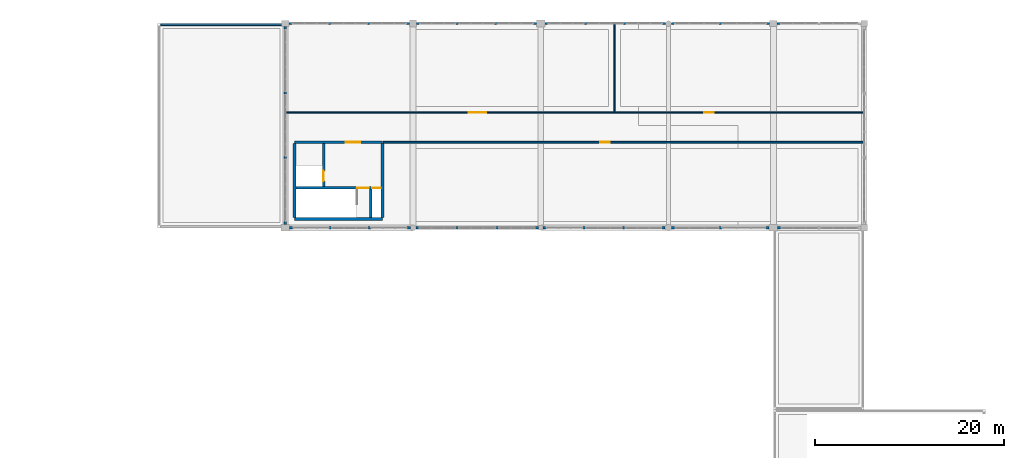
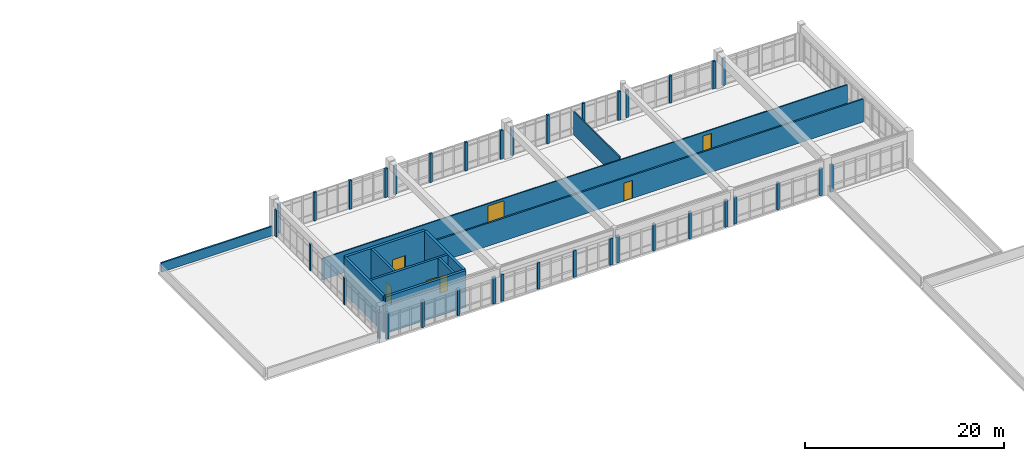
# One storey, part 93 of 109: 47 walls, 7 doors, 7 openings.
"""IFC4 building model written with IfcOpenShell, lengths in metres."""

from ifc_helpers import new_model, si_unit, direction, frame, frame_2d, origin, place, context, subcontext, project, spatial, rectangle, extrude, material, layer, layer_set, type_object, element, fill, save


model = new_model("IFC4")

# Units and contexts
model_context = context("Model", 3, precision=1e-05, world=origin(), true_north=direction((0.0, 1.0)))
body_context = subcontext(model_context, "Body", "Model", "MODEL_VIEW")
ifc_project = project(units=[si_unit("LENGTHUNIT", "METRE"), si_unit("AREAUNIT", "SQUARE_METRE"), si_unit("VOLUMEUNIT", "CUBIC_METRE"), si_unit("PLANEANGLEUNIT", "RADIAN"), si_unit("MASSUNIT", "GRAM", prefix="KILO")], contexts=[model_context])

# Site, building, storey
site_placement = place(None, origin())
site = spatial("IfcSite", under=ifc_project, at=site_placement, CompositionType="ELEMENT")
building_placement = place(site_placement, origin())
building = spatial("IfcBuilding", under=site, at=building_placement, Name="Fikremerkos Civic Library", CompositionType="ELEMENT")
storey_placement = place(building_placement, frame((0.0, 0.0, 5.39990234375)))
storey = spatial("IfcBuildingStorey", under=building, at=storey_placement, Name="L01", CompositionType="ELEMENT", Elevation=5.39990234375)

# Wall
ifc_material_1 = material(Name="Concrete C40/50", Category="concrete")
ifc_layer_1 = layer(ifc_material_1, 0.300048828125, Name="Concrete C40/50")
ifc_layer_set_1 = layer_set([ifc_layer_1], Name="Concrete C40/50")
wall_type_1 = type_object("IfcWallType", Name="Core shear wall CSW-01 300", PredefinedType="SHEAR", material=ifc_layer_set_1)
wall_1_placement = place(storey_placement, frame((83.449951171875, 96.949951171875, 0.0), z_axis=(0.0, 0.0, 1.0), x_axis=(-1.0, 0.0, 0.0)))
element("IfcWall", 1, at=wall_1_placement, inside=storey, type_object=wall_type_1, Name="Core K5 south shear wall L01", PredefinedType="SHEAR", context=body_context, shape_type="SweptSolid", body=[
    extrude(rectangle(XDim=9.300048828125, YDim=0.300048828125, at=frame_2d((4.64990234375, 0.0))), origin(), (0.0, 0.0, 1.0), 4.5),
])

# Wall, opening, door
wall_2_placement = place(storey_placement, frame((74.14990234375, 105.050048828125, 0.0), z_axis=(0.0, 0.0, 1.0), x_axis=(1.0, 0.0, 0.0)))
wall_2 = element("IfcWall", 2, at=wall_2_placement, inside=storey, type_object=wall_type_1, Name="Core K5 north shear wall L01", PredefinedType="SHEAR", context=body_context, shape_type="SweptSolid", body=[
    extrude(rectangle(XDim=9.300048828125, YDim=0.300048828125, at=frame_2d((4.64990234375, 0.0))), origin(), (0.0, 0.0, 1.0), 4.5),
])
opening_1_placement = place(wall_2_placement, frame((5.449951171875, 0.0, 0.0)))
opening_1 = element("IfcOpeningElement", 3, at=opening_1_placement, cuts=wall_2, Name="Opening D125", PredefinedType="OPENING", context=body_context, shape_type="SweptSolid", body=[
    extrude(rectangle(XDim=1.5, YDim=2.25, at=frame_2d((0.75, 1.125))), frame((0.0, 0.159912109375, 0.0), z_axis=(0.0, -1.0, 0.0), x_axis=(1.0, 0.0, 0.0)), (0.0, 0.0, 1.0), 0.320068359375),
])
ifc_material_2 = material(Name="Hardwood timber and acoustic glass", Category="wood")
door_type_1 = type_object("IfcDoorType", Name="Pedestrian door DT-05 1500x2250", OperationType="NOTDEFINED", PredefinedType="DOOR", material=ifc_material_2)
door_1_placement = place(opening_1_placement, origin())
door_1 = element("IfcDoor", 4, at=door_1_placement, inside=storey, type_object=door_type_1, Name="Core K5 lobby fire door D125 L01", OperationType="SINGLE_SWING_LEFT", OverallHeight=2.25, OverallWidth=1.5, PredefinedType="DOOR", context=body_context, shape_type="SweptSolid", body=[
    extrude(rectangle(XDim=1.5, YDim=2.25, at=frame_2d((0.75, 1.125))), frame((0.0, 0.032470703125, 0.0), z_axis=(0.0, -1.0, 0.0), x_axis=(1.0, 0.0, 0.0)), (0.0, 0.0, 1.0), 0.06494140625),
])
fill(opening_1, door_1)

# Walls
for number, where, z_axis, x_axis, name in (
    (5, (74.14990234375, 97.10205078125, 0.0), (0.0, 0.0, 1.0), (0.0, 1.0, 0.0), "Core K5 west shear wall L01"),
    (6, (83.449951171875, 104.89794921875, 0.0), (0.0, 0.0, 1.0), (0.0, -1.0, 0.0), "Core K5 east shear wall L01"),
):
    element("IfcWall", number, at=place(storey_placement, frame(where, z_axis=z_axis, x_axis=x_axis)), inside=storey, type_object=wall_type_1, Name=name, PredefinedType="SHEAR", context=body_context, shape_type="SweptSolid", body=[
        extrude(rectangle(XDim=7.7958984375, YDim=0.300048828125, at=frame_2d((3.89794921875, 0.0))), origin(), (0.0, 0.0, 1.0), 4.5),
    ])

# Wall, openings, doors
ifc_layer_2 = layer(ifc_material_1, 0.260009765625, Name="Concrete C40/50")
ifc_layer_set_2 = layer_set([ifc_layer_2], Name="Concrete C40/50")
wall_type_2 = type_object("IfcWallType", Name="Core shear wall CSW-02 260", PredefinedType="SHEAR", material=ifc_layer_set_2)
wall_3_placement = place(storey_placement, frame((74.302001953125, 100.22998046875, 0.0), z_axis=(0.0, 0.0, 1.0), x_axis=(1.0, 0.0, 0.0)))
wall_3 = element("IfcWall", 7, at=wall_3_placement, inside=storey, type_object=wall_type_2, Name="Core K5 stair compartment wall L01", PredefinedType="SHEAR", context=body_context, shape_type="SweptSolid", body=[
    extrude(rectangle(XDim=8.99609375, YDim=0.260009765625, at=frame_2d((4.498046875, 0.0))), origin(), (0.0, 0.0, 1.0), 4.5),
])
opening_2_placement = place(wall_3_placement, frame((6.498046875, 0.0, 0.0)))
opening_2 = element("IfcOpeningElement", 8, at=opening_2_placement, cuts=wall_3, Name="Opening D126", PredefinedType="OPENING", context=body_context, shape_type="SweptSolid", body=[
    extrude(rectangle(XDim=1.199951171875, YDim=2.199951171875, at=frame_2d((0.60009765625, 1.10009765625))), frame((0.0, 0.139892578125, 0.0), z_axis=(0.0, -1.0, 0.0), x_axis=(1.0, 0.0, 0.0)), (0.0, 0.0, 1.0), 0.280029296875),
])
opening_3_placement = place(wall_3_placement, frame((8.10302734375, 0.0, 0.0)))
opening_3 = element("IfcOpeningElement", 9, at=opening_3_placement, cuts=wall_3, Name="Opening D127", PredefinedType="OPENING", context=body_context, shape_type="SweptSolid", body=[
    extrude(rectangle(XDim=0.85009765625, YDim=2.050048828125, at=frame_2d((0.425048828125, 1.02490234375))), frame((0.0, 0.139892578125, 0.0), z_axis=(0.0, -1.0, 0.0), x_axis=(1.0, 0.0, 0.0)), (0.0, 0.0, 1.0), 0.280029296875),
])
door_type_2 = type_object("IfcDoorType", Name="Pedestrian door DT-06 1200x2200", OperationType="NOTDEFINED", PredefinedType="DOOR", material=ifc_material_2)
door_2_placement = place(opening_2_placement, origin())
door_2 = element("IfcDoor", 10, at=door_2_placement, inside=storey, type_object=door_type_2, Name="Core K5 stair fire door D126 L01", OperationType="SINGLE_SWING_LEFT", OverallHeight=2.199951171875, OverallWidth=1.199951171875, PredefinedType="DOOR", context=body_context, shape_type="SweptSolid", body=[
    extrude(rectangle(XDim=1.199951171875, YDim=2.199951171875, at=frame_2d((0.60009765625, 1.10009765625))), frame((0.0, 0.032470703125, 0.0), z_axis=(0.0, -1.0, 0.0), x_axis=(1.0, 0.0, 0.0)), (0.0, 0.0, 1.0), 0.06494140625),
])
fill(opening_2, door_2)
door_type_3 = type_object("IfcDoorType", Name="Pedestrian door DT-08 850x2050", OperationType="NOTDEFINED", PredefinedType="DOOR", material=ifc_material_2)
door_3_placement = place(opening_3_placement, origin())
door_3 = element("IfcDoor", 11, at=door_3_placement, inside=storey, type_object=door_type_3, Name="Core K5 riser access fire door D127 L01", OperationType="SINGLE_SWING_LEFT", OverallHeight=2.050048828125, OverallWidth=0.85009765625, PredefinedType="DOOR", context=body_context, shape_type="SweptSolid", body=[
    extrude(rectangle(XDim=0.85009765625, YDim=2.050048828125, at=frame_2d((0.425048828125, 1.02490234375))), frame((0.0, 0.032470703125, 0.0), z_axis=(0.0, -1.0, 0.0), x_axis=(1.0, 0.0, 0.0)), (0.0, 0.0, 1.0), 0.06494140625),
])
fill(opening_3, door_3)

# Wall
wall_4_placement = place(storey_placement, frame((82.22998046875, 97.10205078125, 0.0), z_axis=(0.0, 0.0, 1.0), x_axis=(0.0, 1.0, 0.0)))
element("IfcWall", 12, at=wall_4_placement, inside=storey, type_object=wall_type_2, Name="Core K5 stair-riser shear wall L01", PredefinedType="SHEAR", context=body_context, shape_type="SweptSolid", body=[
    extrude(rectangle(XDim=2.995849609375, YDim=0.260009765625, at=frame_2d((1.498046875, 0.0))), origin(), (0.0, 0.0, 1.0), 4.5),
])

# Wall, opening, door
wall_5_placement = place(storey_placement, frame((77.22998046875, 100.362060546875, 0.0), z_axis=(0.0, 0.0, 1.0), x_axis=(0.0, 1.0, 0.0)))
wall_5 = element("IfcWall", 13, at=wall_5_placement, inside=storey, type_object=wall_type_2, Name="Core K5 lift shaft front wall L01", PredefinedType="SHEAR", context=body_context, shape_type="SweptSolid", body=[
    extrude(rectangle(XDim=4.535888671875, YDim=0.260009765625, at=frame_2d((2.26806640625, 0.0))), origin(), (0.0, 0.0, 1.0), 4.5),
])
opening_4_placement = place(wall_5_placement, frame((0.568115234375, 0.0, 0.0)))
opening_4 = element("IfcOpeningElement", 14, at=opening_4_placement, cuts=wall_5, Name="Opening LD57", PredefinedType="OPENING", context=body_context, shape_type="SweptSolid", body=[
    extrude(rectangle(XDim=1.10009765625, YDim=2.14990234375, at=frame_2d((0.550048828125, 1.074951171875))), frame((0.0, 0.139892578125, 0.0), z_axis=(0.0, -1.0, 0.0), x_axis=(1.0, 0.0, 0.0)), (0.0, 0.0, 1.0), 0.280029296875),
])
ifc_material_3 = material(Name="Brushed stainless steel", Category="steel")
door_type_4 = type_object("IfcDoorType", Name="Lift landing door LDT-01 1100x2150", OperationType="NOTDEFINED", PredefinedType="DOOR", material=ifc_material_3)
door_4_placement = place(opening_4_placement, origin())
door_4 = element("IfcDoor", 15, at=door_4_placement, inside=storey, type_object=door_type_4, Name="Lift LF08 sliding landing door LD57 L01", OperationType="SLIDING_TO_LEFT", OverallHeight=2.14990234375, OverallWidth=1.10009765625, PredefinedType="DOOR", context=body_context, shape_type="SweptSolid", body=[
    extrude(rectangle(XDim=1.10009765625, YDim=2.14990234375, at=frame_2d((0.550048828125, 1.074951171875))), frame((0.0, 0.032470703125, 0.0), z_axis=(0.0, -1.0, 0.0), x_axis=(1.0, 0.0, 0.0)), (0.0, 0.0, 1.0), 0.06494140625),
])
fill(opening_4, door_4)

# Walls
ifc_material_4 = material(Name="Precast concrete C40/50", Category="concrete")
ifc_layer_3 = layer(ifc_material_4, 0.25, Name="Precast concrete C40/50")
ifc_layer_set_3 = layer_set([ifc_layer_3], Name="Precast concrete C40/50")
wall_type_3 = type_object("IfcWallType", Name="Exterior solid wall ESW-05 250", PredefinedType="SOLIDWALL", material=ifc_layer_set_3)
wall_6_placement = place(storey_placement, frame((125.597900390625, 96.0, 0.0), z_axis=(0.0, 0.0, 1.0), x_axis=(-1.0, 0.0, 0.0)))
element("IfcWall", 16, at=wall_6_placement, inside=storey, type_object=wall_type_3, Name="Exterior facade pier ESW-05 #418", PredefinedType="SOLIDWALL", context=body_context, shape_type="SweptSolid", body=[
    extrude(rectangle(XDim=0.349853515625, YDim=0.25, at=frame_2d((0.1748046875, 0.0))), origin(), (0.0, 0.0, 1.0), 3.3671875),
])
wall_7_placement = place(storey_placement, frame((124.35205078125, 96.0, 0.0), z_axis=(0.0, 0.0, 1.0), x_axis=(-1.0, 0.0, 0.0)))
element("IfcWall", 17, at=wall_7_placement, inside=storey, type_object=wall_type_3, Name="Exterior facade pier ESW-05 #420", PredefinedType="SOLIDWALL", context=body_context, shape_type="SweptSolid", body=[
    extrude(rectangle(XDim=0.35009765625, YDim=0.25, at=frame_2d((0.175048828125, 0.0))), origin(), (0.0, 0.0, 1.0), 3.320068359375),
])
wall_8_placement = place(storey_placement, frame((114.39794921875, 96.0, 0.0), z_axis=(0.0, 0.0, 1.0), x_axis=(-1.0, 0.0, 0.0)))
element("IfcWall", 18, at=wall_8_placement, inside=storey, type_object=wall_type_3, Name="Exterior facade pier ESW-05 #421", PredefinedType="SOLIDWALL", context=body_context, shape_type="SweptSolid", body=[
    extrude(rectangle(XDim=0.349853515625, YDim=0.25, at=frame_2d((0.1748046875, 0.0))), origin(), (0.0, 0.0, 1.0), 3.320068359375),
])
wall_9_placement = place(storey_placement, frame((119.35009765625, 96.0, 0.0), z_axis=(0.0, 0.0, 1.0), x_axis=(-1.0, 0.0, 0.0)))
element("IfcWall", 19, at=wall_9_placement, inside=storey, type_object=wall_type_3, Name="Exterior facade mullion pier ESW-05 #422", PredefinedType="SOLIDWALL", context=body_context, shape_type="SweptSolid", body=[
    extrude(rectangle(XDim=0.300048828125, YDim=0.25, at=frame_2d((0.14990234375, 0.0))), origin(), (0.0, 0.0, 1.0), 3.320068359375),
])
wall_10_placement = place(storey_placement, frame((113.35205078125, 96.0, 0.0), z_axis=(0.0, 0.0, 1.0), x_axis=(-1.0, 0.0, 0.0)))
element("IfcWall", 20, at=wall_10_placement, inside=storey, type_object=wall_type_3, Name="Exterior facade pier ESW-05 #423", PredefinedType="SOLIDWALL", context=body_context, shape_type="SweptSolid", body=[
    extrude(rectangle(XDim=0.35009765625, YDim=0.25, at=frame_2d((0.175048828125, 0.0))), origin(), (0.0, 0.0, 1.0), 3.320068359375),
])
wall_11_placement = place(storey_placement, frame((100.77294921875, 96.0, 0.0), z_axis=(0.0, 0.0, 1.0), x_axis=(-1.0, 0.0, 0.0)))
element("IfcWall", 21, at=wall_11_placement, inside=storey, type_object=wall_type_3, Name="Exterior facade pier ESW-05 #424", PredefinedType="SOLIDWALL", context=body_context, shape_type="SweptSolid", body=[
    extrude(rectangle(XDim=0.349853515625, YDim=0.25, at=frame_2d((0.1748046875, 0.0))), origin(), (0.0, 0.0, 1.0), 3.320068359375),
])
wall_12_placement = place(storey_placement, frame((109.125732421875, 96.0, 0.0), z_axis=(0.0, 0.0, 1.0), x_axis=(-1.0, 0.0, 0.0)))
element("IfcWall", 22, at=wall_12_placement, inside=storey, type_object=wall_type_3, Name="Exterior facade mullion pier ESW-05 #425", PredefinedType="SOLIDWALL", context=body_context, shape_type="SweptSolid", body=[
    extrude(rectangle(XDim=0.300048828125, YDim=0.25, at=frame_2d((0.14990234375, 0.0))), origin(), (0.0, 0.0, 1.0), 3.320068359375),
])
wall_13_placement = place(storey_placement, frame((104.94921875, 96.0, 0.0), z_axis=(0.0, 0.0, 1.0), x_axis=(-1.0, 0.0, 0.0)))
element("IfcWall", 23, at=wall_13_placement, inside=storey, type_object=wall_type_3, Name="Exterior facade mullion pier ESW-05 #426", PredefinedType="SOLIDWALL", context=body_context, shape_type="SweptSolid", body=[
    extrude(rectangle(XDim=0.2998046875, YDim=0.25, at=frame_2d((0.14990234375, 0.0))), origin(), (0.0, 0.0, 1.0), 3.320068359375),
])
wall_14_placement = place(storey_placement, frame((99.97705078125, 96.0, 0.0), z_axis=(0.0, 0.0, 1.0), x_axis=(-1.0, 0.0, 0.0)))
element("IfcWall", 24, at=wall_14_placement, inside=storey, type_object=wall_type_3, Name="Exterior facade pier ESW-05 #427", PredefinedType="SOLIDWALL", context=body_context, shape_type="SweptSolid", body=[
    extrude(rectangle(XDim=0.35009765625, YDim=0.25, at=frame_2d((0.175048828125, 0.0))), origin(), (0.0, 0.0, 1.0), 3.27001953125),
])
wall_15_placement = place(storey_placement, frame((87.347900390625, 96.0, 0.0), z_axis=(0.0, 0.0, 1.0), x_axis=(-1.0, 0.0, 0.0)))
element("IfcWall", 25, at=wall_15_placement, inside=storey, type_object=wall_type_3, Name="Exterior facade pier ESW-05 #428", PredefinedType="SOLIDWALL", context=body_context, shape_type="SweptSolid", body=[
    extrude(rectangle(XDim=0.349853515625, YDim=0.25, at=frame_2d((0.1748046875, 0.0))), origin(), (0.0, 0.0, 1.0), 3.27001953125),
])
wall_16_placement = place(storey_placement, frame((95.73388671875, 96.0, 0.0), z_axis=(0.0, 0.0, 1.0), x_axis=(-1.0, 0.0, 0.0)))
element("IfcWall", 26, at=wall_16_placement, inside=storey, type_object=wall_type_3, Name="Exterior facade mullion pier ESW-05 #429", PredefinedType="SOLIDWALL", context=body_context, shape_type="SweptSolid", body=[
    extrude(rectangle(XDim=0.2998046875, YDim=0.25, at=frame_2d((0.14990234375, 0.0))), origin(), (0.0, 0.0, 1.0), 3.27001953125),
])
wall_17_placement = place(storey_placement, frame((91.541015625, 96.0, 0.0), z_axis=(0.0, 0.0, 1.0), x_axis=(-1.0, 0.0, 0.0)))
element("IfcWall", 27, at=wall_17_placement, inside=storey, type_object=wall_type_3, Name="Exterior facade mullion pier ESW-05 #430", PredefinedType="SOLIDWALL", context=body_context, shape_type="SweptSolid", body=[
    extrude(rectangle(XDim=0.300048828125, YDim=0.25, at=frame_2d((0.14990234375, 0.0))), origin(), (0.0, 0.0, 1.0), 3.27001953125),
])
for number, where, z_axis, x_axis, name in (
    (28, (86.402099609375, 96.0, 0.0), (0.0, 0.0, 1.0), (-1.0, 0.0, 0.0), "Exterior facade pier ESW-05 #431"),
    (29, (73.998046875, 96.0, 0.0), (0.0, 0.0, 1.0), (-1.0, 0.0, 0.0), "Exterior facade pier ESW-05 #432"),
):
    element("IfcWall", number, at=place(storey_placement, frame(where, z_axis=z_axis, x_axis=x_axis)), inside=storey, type_object=wall_type_3, Name=name, PredefinedType="SOLIDWALL", context=body_context, shape_type="SweptSolid", body=[
        extrude(rectangle(XDim=0.35009765625, YDim=0.25, at=frame_2d((0.175048828125, 0.0))), origin(), (0.0, 0.0, 1.0), 3.27001953125),
    ])
wall_18_placement = place(storey_placement, frame((82.23388671875, 96.0, 0.0), z_axis=(0.0, 0.0, 1.0), x_axis=(-1.0, 0.0, 0.0)))
element("IfcWall", 30, at=wall_18_placement, inside=storey, type_object=wall_type_3, Name="Exterior facade mullion pier ESW-05 #433", PredefinedType="SOLIDWALL", context=body_context, shape_type="SweptSolid", body=[
    extrude(rectangle(XDim=0.2998046875, YDim=0.25, at=frame_2d((0.14990234375, 0.0))), origin(), (0.0, 0.0, 1.0), 3.27001953125),
])
wall_19_placement = place(storey_placement, frame((78.115966796875, 96.0, 0.0), z_axis=(0.0, 0.0, 1.0), x_axis=(-1.0, 0.0, 0.0)))
element("IfcWall", 31, at=wall_19_placement, inside=storey, type_object=wall_type_3, Name="Exterior facade mullion pier ESW-05 #434", PredefinedType="SOLIDWALL", context=body_context, shape_type="SweptSolid", body=[
    extrude(rectangle(XDim=0.300048828125, YDim=0.25, at=frame_2d((0.14990234375, 0.0))), origin(), (0.0, 0.0, 1.0), 3.27001953125),
])
for number, where, z_axis, x_axis, name in (
    (32, (73.199951171875, 96.347900390625, 0.0), (0.0, 0.0, 1.0), (0.0, 1.0, 0.0), "Exterior facade pier ESW-05 #435"),
    (33, (73.199951171875, 116.951904296875, 0.0), (0.0, 0.0, 1.0), (0.0, 1.0, 0.0), "Exterior facade pier ESW-05 #436"),
):
    element("IfcWall", number, at=place(storey_placement, frame(where, z_axis=z_axis, x_axis=x_axis)), inside=storey, type_object=wall_type_3, Name=name, PredefinedType="SOLIDWALL", context=body_context, shape_type="SweptSolid", body=[
        extrude(rectangle(XDim=0.35009765625, YDim=0.25, at=frame_2d((0.175048828125, 0.0))), origin(), (0.0, 0.0, 1.0), 3.27001953125),
    ])
for number, where, z_axis, x_axis, name in (
    (34, (73.199951171875, 103.249267578125, 0.0), (0.0, 0.0, 1.0), (0.0, 1.0, 0.0), "Exterior facade mullion pier ESW-05 #437"),
    (35, (73.199951171875, 110.1005859375, 0.0), (0.0, 0.0, 1.0), (0.0, 1.0, 0.0), "Exterior facade mullion pier ESW-05 #438"),
):
    element("IfcWall", number, at=place(storey_placement, frame(where, z_axis=z_axis, x_axis=x_axis)), inside=storey, type_object=wall_type_3, Name=name, PredefinedType="SOLIDWALL", context=body_context, shape_type="SweptSolid", body=[
        extrude(rectangle(XDim=0.300048828125, YDim=0.25, at=frame_2d((0.14990234375, 0.0))), origin(), (0.0, 0.0, 1.0), 3.27001953125),
    ])
wall_20_placement = place(storey_placement, frame((73.597900390625, 117.60009765625, 0.0), z_axis=(0.0, 0.0, 1.0), x_axis=(1.0, 0.0, 0.0)))
element("IfcWall", 36, at=wall_20_placement, inside=storey, type_object=wall_type_3, Name="Exterior facade pier ESW-05 #439", PredefinedType="SOLIDWALL", context=body_context, shape_type="SweptSolid", body=[
    extrude(rectangle(XDim=0.35009765625, YDim=0.25, at=frame_2d((0.175048828125, 0.0))), origin(), (0.0, 0.0, 1.0), 3.517333984375),
])
wall_21_placement = place(storey_placement, frame((85.97705078125, 117.60009765625, 0.0), z_axis=(0.0, 0.0, 1.0), x_axis=(1.0, 0.0, 0.0)))
element("IfcWall", 37, at=wall_21_placement, inside=storey, type_object=wall_type_3, Name="Exterior facade pier ESW-05 #440", PredefinedType="SOLIDWALL", context=body_context, shape_type="SweptSolid", body=[
    extrude(rectangle(XDim=0.349853515625, YDim=0.25, at=frame_2d((0.1748046875, 0.0))), origin(), (0.0, 0.0, 1.0), 3.517333984375),
])
wall_22_placement = place(storey_placement, frame((77.757568359375, 117.60009765625, 0.0), z_axis=(0.0, 0.0, 1.0), x_axis=(1.0, 0.0, 0.0)))
element("IfcWall", 38, at=wall_22_placement, inside=storey, type_object=wall_type_3, Name="Exterior facade mullion pier ESW-05 #441", PredefinedType="SOLIDWALL", context=body_context, shape_type="SweptSolid", body=[
    extrude(rectangle(XDim=0.300048828125, YDim=0.25, at=frame_2d((0.14990234375, 0.0))), origin(), (0.0, 0.0, 1.0), 3.517333984375),
])
wall_23_placement = place(storey_placement, frame((81.867431640625, 117.60009765625, 0.0), z_axis=(0.0, 0.0, 1.0), x_axis=(1.0, 0.0, 0.0)))
element("IfcWall", 39, at=wall_23_placement, inside=storey, type_object=wall_type_3, Name="Exterior facade mullion pier ESW-05 #442", PredefinedType="SOLIDWALL", context=body_context, shape_type="SweptSolid", body=[
    extrude(rectangle(XDim=0.2998046875, YDim=0.25, at=frame_2d((0.14990234375, 0.0))), origin(), (0.0, 0.0, 1.0), 3.517333984375),
])
wall_24_placement = place(storey_placement, frame((87.072998046875, 117.60009765625, 0.0), z_axis=(0.0, 0.0, 1.0), x_axis=(1.0, 0.0, 0.0)))
element("IfcWall", 40, at=wall_24_placement, inside=storey, type_object=wall_type_3, Name="Exterior facade pier ESW-05 #443", PredefinedType="SOLIDWALL", context=body_context, shape_type="SweptSolid", body=[
    extrude(rectangle(XDim=0.35009765625, YDim=0.25, at=frame_2d((0.175048828125, 0.0))), origin(), (0.0, 0.0, 1.0), 3.517333984375),
])
wall_25_placement = place(storey_placement, frame((99.402099609375, 117.60009765625, 0.0), z_axis=(0.0, 0.0, 1.0), x_axis=(1.0, 0.0, 0.0)))
element("IfcWall", 41, at=wall_25_placement, inside=storey, type_object=wall_type_3, Name="Exterior facade pier ESW-05 #444", PredefinedType="SOLIDWALL", context=body_context, shape_type="SweptSolid", body=[
    extrude(rectangle(XDim=0.349853515625, YDim=0.25, at=frame_2d((0.1748046875, 0.0))), origin(), (0.0, 0.0, 1.0), 3.517333984375),
])
wall_26_placement = place(storey_placement, frame((91.216064453125, 117.60009765625, 0.0), z_axis=(0.0, 0.0, 1.0), x_axis=(1.0, 0.0, 0.0)))
element("IfcWall", 42, at=wall_26_placement, inside=storey, type_object=wall_type_3, Name="Exterior facade mullion pier ESW-05 #445", PredefinedType="SOLIDWALL", context=body_context, shape_type="SweptSolid", body=[
    extrude(rectangle(XDim=0.300048828125, YDim=0.25, at=frame_2d((0.14990234375, 0.0))), origin(), (0.0, 0.0, 1.0), 3.517333984375),
])
wall_27_placement = place(storey_placement, frame((95.30908203125, 117.60009765625, 0.0), z_axis=(0.0, 0.0, 1.0), x_axis=(1.0, 0.0, 0.0)))
element("IfcWall", 43, at=wall_27_placement, inside=storey, type_object=wall_type_3, Name="Exterior facade mullion pier ESW-05 #446", PredefinedType="SOLIDWALL", context=body_context, shape_type="SweptSolid", body=[
    extrude(rectangle(XDim=0.2998046875, YDim=0.25, at=frame_2d((0.14990234375, 0.0))), origin(), (0.0, 0.0, 1.0), 3.517333984375),
])
for number, where, z_axis, x_axis, name in (
    (44, (100.64794921875, 117.60009765625, 0.0), (0.0, 0.0, 1.0), (1.0, 0.0, 0.0), "Exterior facade pier ESW-05 #447"),
    (45, (113.052001953125, 117.60009765625, 0.0), (0.0, 0.0, 1.0), (1.0, 0.0, 0.0), "Exterior facade pier ESW-05 #448"),
):
    element("IfcWall", number, at=place(storey_placement, frame(where, z_axis=z_axis, x_axis=x_axis)), inside=storey, type_object=wall_type_3, Name=name, PredefinedType="SOLIDWALL", context=body_context, shape_type="SweptSolid", body=[
        extrude(rectangle(XDim=0.35009765625, YDim=0.25, at=frame_2d((0.175048828125, 0.0))), origin(), (0.0, 0.0, 1.0), 3.517333984375),
    ])
wall_28_placement = place(storey_placement, frame((104.81591796875, 117.60009765625, 0.0), z_axis=(0.0, 0.0, 1.0), x_axis=(1.0, 0.0, 0.0)))
element("IfcWall", 46, at=wall_28_placement, inside=storey, type_object=wall_type_3, Name="Exterior facade mullion pier ESW-05 #449", PredefinedType="SOLIDWALL", context=body_context, shape_type="SweptSolid", body=[
    extrude(rectangle(XDim=0.300048828125, YDim=0.25, at=frame_2d((0.14990234375, 0.0))), origin(), (0.0, 0.0, 1.0), 3.517333984375),
])
wall_29_placement = place(storey_placement, frame((108.93408203125, 117.60009765625, 0.0), z_axis=(0.0, 0.0, 1.0), x_axis=(1.0, 0.0, 0.0)))
element("IfcWall", 47, at=wall_29_placement, inside=storey, type_object=wall_type_3, Name="Exterior facade mullion pier ESW-05 #450", PredefinedType="SOLIDWALL", context=body_context, shape_type="SweptSolid", body=[
    extrude(rectangle(XDim=0.2998046875, YDim=0.25, at=frame_2d((0.14990234375, 0.0))), origin(), (0.0, 0.0, 1.0), 3.517333984375),
])
wall_30_placement = place(storey_placement, frame((113.998046875, 117.60009765625, 0.0), z_axis=(0.0, 0.0, 1.0), x_axis=(1.0, 0.0, 0.0)))
element("IfcWall", 48, at=wall_30_placement, inside=storey, type_object=wall_type_3, Name="Exterior facade pier ESW-05 #451", PredefinedType="SOLIDWALL", context=body_context, shape_type="SweptSolid", body=[
    extrude(rectangle(XDim=0.349853515625, YDim=0.25, at=frame_2d((0.1748046875, 0.0))), origin(), (0.0, 0.0, 1.0), 3.3671875),
])
wall_31_placement = place(storey_placement, frame((124.052001953125, 117.60009765625, 0.0), z_axis=(0.0, 0.0, 1.0), x_axis=(1.0, 0.0, 0.0)))
element("IfcWall", 49, at=wall_31_placement, inside=storey, type_object=wall_type_3, Name="Exterior facade pier ESW-05 #452", PredefinedType="SOLIDWALL", context=body_context, shape_type="SweptSolid", body=[
    extrude(rectangle(XDim=0.35009765625, YDim=0.25, at=frame_2d((0.175048828125, 0.0))), origin(), (0.0, 0.0, 1.0), 3.3671875),
])
wall_32_placement = place(storey_placement, frame((119.050048828125, 117.60009765625, 0.0), z_axis=(0.0, 0.0, 1.0), x_axis=(1.0, 0.0, 0.0)))
element("IfcWall", 50, at=wall_32_placement, inside=storey, type_object=wall_type_3, Name="Exterior facade mullion pier ESW-05 #453", PredefinedType="SOLIDWALL", context=body_context, shape_type="SweptSolid", body=[
    extrude(rectangle(XDim=0.300048828125, YDim=0.25, at=frame_2d((0.14990234375, 0.0))), origin(), (0.0, 0.0, 1.0), 3.3671875),
])
wall_33_placement = place(storey_placement, frame((125.197998046875, 117.60009765625, 0.0), z_axis=(0.0, 0.0, 1.0), x_axis=(1.0, 0.0, 0.0)))
element("IfcWall", 51, at=wall_33_placement, inside=storey, type_object=wall_type_3, Name="Exterior facade pier ESW-05 #454", PredefinedType="SOLIDWALL", context=body_context, shape_type="SweptSolid", body=[
    extrude(rectangle(XDim=0.35009765625, YDim=0.25, at=frame_2d((0.175048828125, 0.0))), origin(), (0.0, 0.0, 1.0), 3.3671875),
])

# Wall, opening, door
ifc_material_5 = material(Name="Acoustic concrete blockwork", Category="masonry")
ifc_layer_4 = layer(ifc_material_5, 0.18994140625, Name="Acoustic concrete blockwork")
ifc_layer_set_4 = layer_set([ifc_layer_4], Name="Acoustic concrete blockwork")
wall_type_4 = type_object("IfcWallType", Name="Interior partition wall IPW-01 190", PredefinedType="PARTITIONING", material=ifc_layer_set_4)
wall_34_placement = place(storey_placement, frame((83.530029296875, 105.050048828125, 0.0), z_axis=(0.0, 0.0, 1.0), x_axis=(1.0, 0.0, 0.0)))
wall_34 = element("IfcWall", 52, at=wall_34_placement, inside=storey, type_object=wall_type_4, Name="Interior wall IPW-01 L01 #160", PredefinedType="PARTITIONING", context=body_context, shape_type="SweptSolid", body=[
    extrude(rectangle(XDim=50.786865234375, YDim=0.18994140625, at=frame_2d((25.3935546875, 0.0))), origin(), (0.0, 0.0, 1.0), 2.81005859375),
])
opening_5_placement = place(wall_34_placement, frame((22.969970703125, 0.0, 0.0)))
opening_5 = element("IfcOpeningElement", 53, at=opening_5_placement, cuts=wall_34, Name="Opening D213", PredefinedType="OPENING", context=body_context, shape_type="SweptSolid", body=[
    extrude(rectangle(XDim=1.0, YDim=2.199951171875, at=frame_2d((0.5, 1.10009765625))), frame((0.0, 0.10498046875, 0.0), z_axis=(0.0, -1.0, 0.0), x_axis=(1.0, 0.0, 0.0)), (0.0, 0.0, 1.0), 0.2099609375),
])
door_type_5 = type_object("IfcDoorType", Name="Pedestrian door DT-01 1000x2200", OperationType="NOTDEFINED", PredefinedType="DOOR", material=ifc_material_2)
door_5_placement = place(opening_5_placement, origin())
door_5 = element("IfcDoor", 54, at=door_5_placement, inside=storey, type_object=door_type_5, Name="Interior door D213 L01", OperationType="SINGLE_SWING_RIGHT", OverallHeight=2.199951171875, OverallWidth=1.0, PredefinedType="DOOR", context=body_context, shape_type="SweptSolid", body=[
    extrude(rectangle(XDim=1.0, YDim=2.199951171875, at=frame_2d((0.5, 1.10009765625))), frame((0.0, 0.032470703125, 0.0), z_axis=(0.0, -1.0, 0.0), x_axis=(1.0, 0.0, 0.0)), (0.0, 0.0, 1.0), 0.06494140625),
])
fill(opening_5, door_5)

# Wall
ifc_material_6 = material(Name="Acoustic gypsum stud partition")
ifc_layer_5 = layer(ifc_material_6, 0.14990234375, Name="Acoustic gypsum stud partition")
ifc_layer_set_5 = layer_set([ifc_layer_5], Name="Acoustic gypsum stud partition")
wall_type_5 = type_object("IfcWallType", Name="Interior partition wall IPW-02 150", PredefinedType="PARTITIONING", material=ifc_layer_set_5)
wall_35_placement = place(storey_placement, frame((108.0, 108.304931640625, 0.0), z_axis=(0.0, 0.0, 1.0), x_axis=(0.0, 1.0, 0.0)))
element("IfcWall", 55, at=wall_35_placement, inside=storey, type_object=wall_type_5, Name="Interior wall IPW-02 L01 #173", PredefinedType="PARTITIONING", context=body_context, shape_type="SweptSolid", body=[
    extrude(rectangle(XDim=9.212158203125, YDim=0.14990234375, at=frame_2d((4.60595703125, 0.0))), origin(), (0.0, 0.0, 1.0), 2.889892578125),
])

# Wall, openings, doors
ifc_material_7 = material(Name="Gypsum metal stud partition")
ifc_layer_6 = layer(ifc_material_7, 0.1298828125, Name="Gypsum metal stud partition")
ifc_layer_set_6 = layer_set([ifc_layer_6], Name="Gypsum metal stud partition")
wall_type_6 = type_object("IfcWallType", Name="Interior partition wall IPW-03 130", PredefinedType="PARTITIONING", material=ifc_layer_set_6)
wall_36_placement = place(storey_placement, frame((73.282958984375, 108.199951171875, 0.0), z_axis=(0.0, 0.0, 1.0), x_axis=(1.0, 0.0, 0.0)))
wall_36 = element("IfcWall", 56, at=wall_36_placement, inside=storey, type_object=wall_type_6, Name="Interior wall IPW-03 L01 #158", PredefinedType="PARTITIONING", context=body_context, shape_type="SweptSolid", body=[
    extrude(rectangle(XDim=61.033935546875, YDim=0.1298828125, at=frame_2d((30.51708984375, 0.0))), origin(), (0.0, 0.0, 1.0), 2.642578125),
])
opening_6_placement = place(wall_36_placement, frame((19.2919921875, 0.0, 0.0)))
opening_6 = element("IfcOpeningElement", 57, at=opening_6_placement, cuts=wall_36, Name="Opening D211", PredefinedType="OPENING", context=body_context, shape_type="SweptSolid", body=[
    extrude(rectangle(XDim=1.85009765625, YDim=2.35009765625, at=frame_2d((0.925048828125, 1.175048828125))), frame((0.0, 0.074951171875, 0.0), z_axis=(0.0, -1.0, 0.0), x_axis=(1.0, 0.0, 0.0)), (0.0, 0.0, 1.0), 0.14990234375),
])
opening_7_placement = place(wall_36_placement, frame((44.217041015625, 0.0, 0.0)))
opening_7 = element("IfcOpeningElement", 58, at=opening_7_placement, cuts=wall_36, Name="Opening D212", PredefinedType="OPENING", context=body_context, shape_type="SweptSolid", body=[
    extrude(rectangle(XDim=1.0, YDim=2.199951171875, at=frame_2d((0.5, 1.10009765625))), frame((0.0, 0.074951171875, 0.0), z_axis=(0.0, -1.0, 0.0), x_axis=(1.0, 0.0, 0.0)), (0.0, 0.0, 1.0), 0.14990234375),
])
door_6_placement = place(opening_7_placement, origin())
door_6 = element("IfcDoor", 59, at=door_6_placement, inside=storey, type_object=door_type_5, Name="Interior door D212 L01", OperationType="SINGLE_SWING_LEFT", OverallHeight=2.199951171875, OverallWidth=1.0, PredefinedType="DOOR", context=body_context, shape_type="SweptSolid", body=[
    extrude(rectangle(XDim=1.0, YDim=2.199951171875, at=frame_2d((0.5, 1.10009765625))), frame((0.0, 0.032470703125, 0.0), z_axis=(0.0, -1.0, 0.0), x_axis=(1.0, 0.0, 0.0)), (0.0, 0.0, 1.0), 0.06494140625),
])
fill(opening_7, door_6)
door_type_6 = type_object("IfcDoorType", Name="Pedestrian door DT-09 1850x2350", OperationType="NOTDEFINED", PredefinedType="DOOR", material=ifc_material_2)
door_7_placement = place(opening_6_placement, origin())
door_7 = element("IfcDoor", 60, at=door_7_placement, inside=storey, type_object=door_type_6, Name="Interior door D211 L01", OperationType="SINGLE_SWING_RIGHT", OverallHeight=2.35009765625, OverallWidth=1.85009765625, PredefinedType="DOOR", context=body_context, shape_type="SweptSolid", body=[
    extrude(rectangle(XDim=1.85009765625, YDim=2.35009765625, at=frame_2d((0.925048828125, 1.175048828125))), frame((0.0, 0.032470703125, 0.0), z_axis=(0.0, -1.0, 0.0), x_axis=(1.0, 0.0, 0.0)), (0.0, 0.0, 1.0), 0.06494140625),
])
fill(opening_6, door_7)

# Wall
ifc_layer_7 = layer(ifc_material_4, 0.179931640625, Name="Precast concrete C40/50")
ifc_layer_set_7 = layer_set([ifc_layer_7], Name="Precast concrete C40/50")
wall_type_7 = type_object("IfcWallType", Name="Roof parapet wall PAR-01 180", PredefinedType="PARAPET", material=ifc_layer_set_7)
wall_37_placement = place(storey_placement, frame((60.0, 117.47998046875, 0.0), z_axis=(0.0, 0.0, 1.0), x_axis=(1.0, 0.0, 0.0)))
element("IfcWall", 61, at=wall_37_placement, inside=storey, type_object=wall_type_7, Name="Roof parapet wall PAR-01 RF-L01-V2W N", PredefinedType="PARAPET", context=body_context, shape_type="SweptSolid", body=[
    extrude(rectangle(XDim=12.89990234375, YDim=0.179931640625, at=frame_2d((6.449951171875, 0.0))), origin(), (0.0, 0.0, 1.0), 1.150146484375),
])

save(model, "model.ifc")
